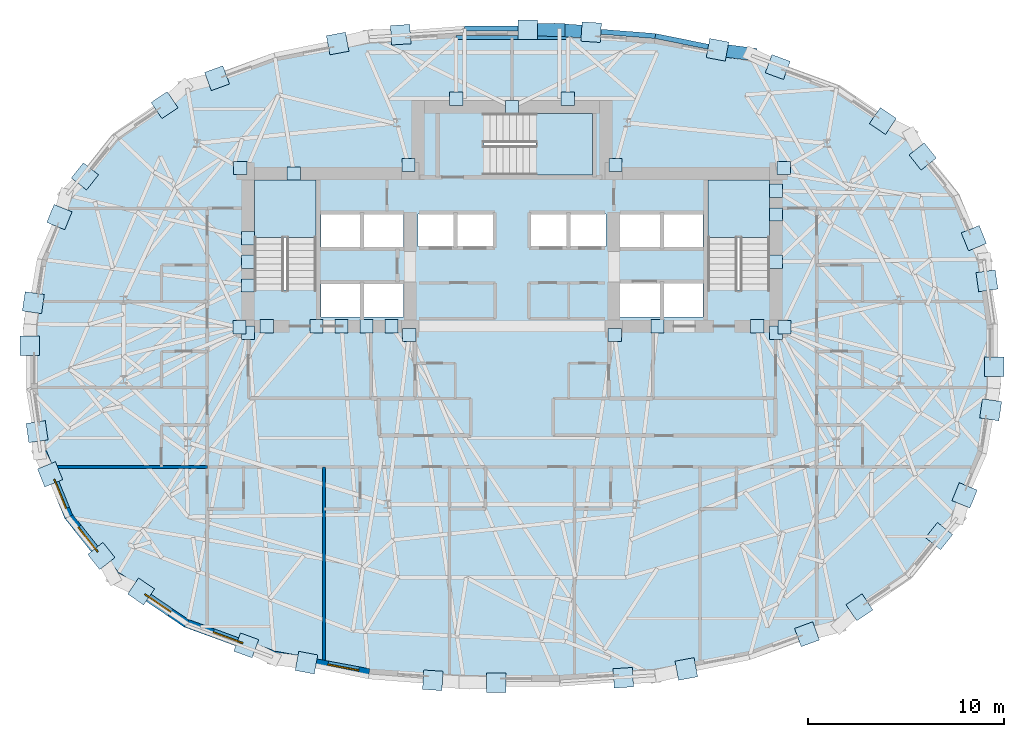
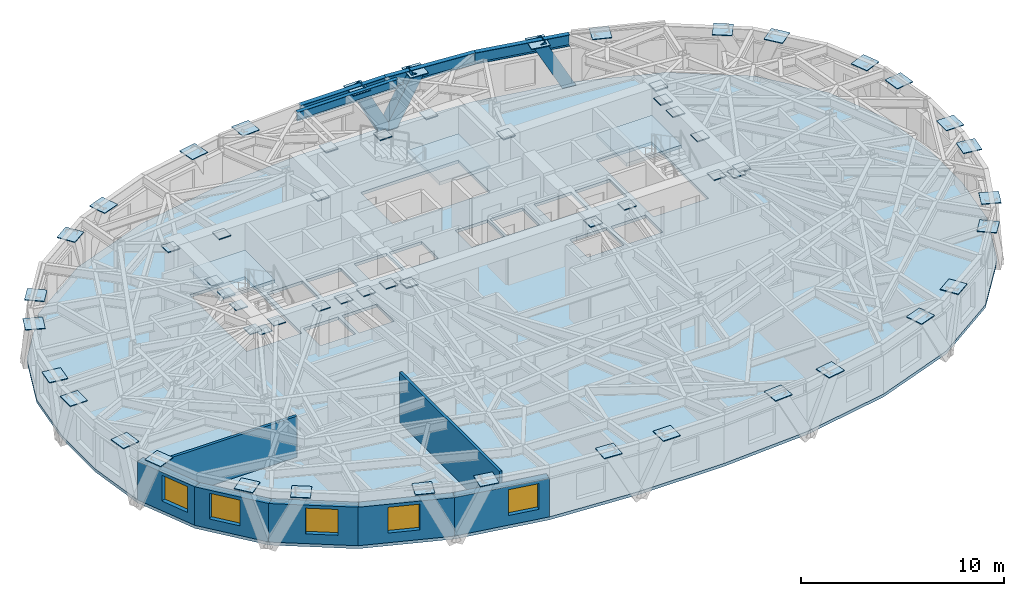
# One storey, part 5 of 15: 59 plates, 7 walls, 5 windows, 4 beams, 4 slabs, 3 members, 5 openings, 3 elements without a shape of their own.
"""IFC4 building model written with IfcOpenShell, lengths in metres."""

from ifc_helpers import new_model, si_unit, direction, frame, frame_2d, origin, origin_2d, place, context, subcontext, project, spatial, polyline, rectangle, hollow_rectangle, i_section, outline, extrude, material, layer, layer_set, material_profile, profile_set, type_object, element, fill, aggregate, save


model = new_model("IFC4")

# Units and contexts
model_context = context("Model", 3, precision=1e-05, world=origin(), true_north=direction((0.0, 1.0)))
body_context = subcontext(model_context, "Body", "Model", "MODEL_VIEW")
ifc_project = project(units=[si_unit("LENGTHUNIT", "METRE"), si_unit("AREAUNIT", "SQUARE_METRE"), si_unit("VOLUMEUNIT", "CUBIC_METRE"), si_unit("PLANEANGLEUNIT", "RADIAN"), si_unit("MASSUNIT", "GRAM", prefix="KILO")], contexts=[model_context])

# Site, building, storey
site_placement = place(None, origin())
site = spatial("IfcSite", under=ifc_project, at=site_placement, CompositionType="ELEMENT")
building_placement = place(site_placement, origin())
building = spatial("IfcBuilding", under=site, at=building_placement, Name="Keldmark Tower", CompositionType="ELEMENT")
storey_placement = place(building_placement, frame((0.0, 0.0, 147.0)))
storey = spatial("IfcBuildingStorey", under=building, at=storey_placement, Name="L39", CompositionType="ELEMENT", Elevation=147.0)

# Members
ifc_material_1 = material(Name="Steel ASTM A572 Grade 50", Category="steel")
ifc_material_profile_1 = material_profile(ifc_material_1, hollow_rectangle(XDim=0.64990234375, YDim=0.64990234375, WallThickness=0.0400390625, at=origin_2d()), Name="BOX650X650X40")
ifc_profile_set_1 = profile_set([ifc_material_profile_1], Name="Steel ASTM A572 Grade 50")
member_type = type_object("IfcMemberType", Name="Diagrid Zone 3 Brace BOX650X650X40", PredefinedType="BRACE", material=ifc_profile_set_1)
member_1_placement = place(storey_placement, frame((12.17578125, 15.423583984375, -0.260009765625), z_axis=(-0.469993079777, 0.060552090475, 0.880590682043), x_axis=(-0.127780002502, -0.991802536275, 0.0)))
element("IfcMember", 1, at=member_1_placement, inside=storey, type_object=member_type, Name="L39 Perimeter Diagrid Brace 03B", PredefinedType="BRACE", context=body_context, shape_type="SweptSolid", body=[
    extrude(hollow_rectangle(XDim=0.64990234375, YDim=0.64990234375, WallThickness=0.0400390625, at=origin_2d()), origin(), (0.0, 0.0, 1.0), 3.58837890625),
])
member_2_placement = place(storey_placement, frame((2.410888671875, 16.65380859375, -0.260009765625), z_axis=(0.45823774082, -0.031569471436, 0.888268845205), x_axis=(0.068730302133, 0.997635276827, 0.0)))
element("IfcMember", 2, at=member_2_placement, inside=storey, type_object=member_type, Name="L39 Perimeter Diagrid Brace 04A", PredefinedType="BRACE", context=body_context, shape_type="SweptSolid", body=[
    extrude(hollow_rectangle(XDim=0.64990234375, YDim=0.64990234375, WallThickness=0.0400390625, at=origin_2d()), origin(), (0.0, 0.0, 1.0), 3.557373046875),
])
member_3_placement = place(storey_placement, frame((2.42236328125, 16.6513671875, -0.260009765625), z_axis=(-0.45579851105, 0.004332423989, 0.890072439427), x_axis=(-0.009504700399, -0.999954829315, 0.0)))
element("IfcMember", 3, at=member_3_placement, inside=storey, type_object=member_type, Name="L39 Perimeter Diagrid Brace 04B", PredefinedType="BRACE", context=body_context, shape_type="SweptSolid", body=[
    extrude(hollow_rectangle(XDim=0.64990234375, YDim=0.64990234375, WallThickness=0.0400390625, at=origin_2d()), origin(), (0.0, 0.0, 1.0), 3.55029296875),
])

# Beams
ifc_material_2 = material(Name="Steel ASTM A992 Grade 50", Category="steel")
ifc_material_profile_2 = material_profile(ifc_material_2, i_section(OverallWidth=0.2099609375, OverallDepth=0.537109375, WebThickness=0.010986328125, FlangeThickness=0.017333984375, at=origin_2d()), Name="W21X68")
ifc_profile_set_2 = profile_set([ifc_material_profile_2], Name="Steel ASTM A992 Grade 50")
beam_type_1 = type_object("IfcBeamType", Name="Radial Tie Girder W21X68", PredefinedType="BEAM", material=ifc_profile_set_2)
beam_1_placement = place(storey_placement, frame((-2.85009765625, 16.276611328125, 2.75146484375), z_axis=(1.0, 0.0, 0.0), x_axis=(0.0, 1.0, 0.0)))
element("IfcBeam", 4, at=beam_1_placement, inside=storey, type_object=beam_type_1, Name="L39 North Apex Header Girder FG-TCN-H2", PredefinedType="BEAM", context=body_context, shape_type="SweptSolid", body=[
    extrude(i_section(OverallWidth=0.2099609375, OverallDepth=0.537109375, WebThickness=0.010986328125, FlangeThickness=0.017333984375, at=origin_2d()), origin(), (0.0, 0.0, 1.0), 5.7001953125),
])
ifc_material_3 = material(Name="Steel ASTM A992 Grade 50", Category="steel")
ifc_material_profile_3 = material_profile(ifc_material_3, i_section(OverallWidth=0.256103515625, OverallDepth=0.693115234375, WebThickness=0.014404296875, FlangeThickness=0.023681640625, at=origin_2d()), Name="W27X114")
ifc_profile_set_3 = profile_set([ifc_material_profile_3], Name="Steel ASTM A992 Grade 50")
beam_type_2 = type_object("IfcBeamType", Name="Spandrel Ring Beam W27X114", PredefinedType="SPANDREL", material=ifc_profile_set_3)
beam_2_placement = place(storey_placement, frame((12.119140625, 15.368896484375, 2.673583984375), z_axis=(-0.980023275358, 0.198882829215, 0.0), x_axis=(-0.198882829215, -0.980023275358, 0.0)))
element("IfcBeam", 5, at=beam_2_placement, inside=storey, type_object=beam_type_2, Name="L39 Perimeter Spandrel Ring Beam SRB-06", PredefinedType="SPANDREL", context=body_context, shape_type="SweptSolid", body=[
    extrude(i_section(OverallWidth=0.256103515625, OverallDepth=0.693115234375, WebThickness=0.014404296875, FlangeThickness=0.023681640625, at=origin_2d()), origin(), (0.0, 0.0, 1.0), 4.90283203125),
])
beam_3_placement = place(storey_placement, frame((7.314208984375, 16.343994140625, 2.673583984375), z_axis=(-0.996945914476, 0.07809509338, 0.0), x_axis=(-0.07809509338, -0.996945914476, 0.0)))
element("IfcBeam", 6, at=beam_3_placement, inside=storey, type_object=beam_type_2, Name="L39 Perimeter Spandrel Ring Beam SRB-07", PredefinedType="SPANDREL", context=body_context, shape_type="SweptSolid", body=[
    extrude(i_section(OverallWidth=0.256103515625, OverallDepth=0.693115234375, WebThickness=0.014404296875, FlangeThickness=0.023681640625, at=origin_2d()), origin(), (0.0, 0.0, 1.0), 4.898681640625),
])
beam_4_placement = place(storey_placement, frame((2.430419921875, 16.7265625, 2.673583984375), z_axis=(-1.0, 0.0, 0.0), x_axis=(0.0, -1.0, 0.0)))
element("IfcBeam", 7, at=beam_4_placement, inside=storey, type_object=beam_type_2, Name="L39 Perimeter Spandrel Ring Beam SRB-08", PredefinedType="SPANDREL", context=body_context, shape_type="SweptSolid", body=[
    extrude(i_section(OverallWidth=0.256103515625, OverallDepth=0.693115234375, WebThickness=0.014404296875, FlangeThickness=0.023681640625, at=origin_2d()), origin(), (0.0, 0.0, 1.0), 4.86083984375),
])

# Plates
ifc_material_4 = material(Name="Steel ASTM A572 Grade 50", Category="steel")
ifc_layer_1 = layer(ifc_material_4, 0.06005859375)
ifc_layer_set_1 = layer_set([ifc_layer_1], Name="Steel ASTM A572 Grade 50")
plate_type_1 = type_object("IfcPlateType", Name="Belt Truss Kink Node Assembly KN01 60 mm", PredefinedType="USERDEFINED", material=ifc_layer_set_1)
for number, where, z_axis, x_axis, name in (
    (8, (13.91162109375, 1.473388671875, 2.72412109375), (0.0, 0.0, 1.0), (1.0, 0.0, 0.0), "L39 Core Wall Cast-In Embed Plate 1148"),
    (9, (13.878173828125, 9.608154296875, 2.72412109375), (0.0, 0.0, 1.0), (1.0, 0.0, 0.0), "L39 Core Wall Cast-In Embed Plate 1149"),
    (10, (5.28515625, 9.758544921875, 2.72412109375), (0.0, 0.0, 1.0), (1.0, 0.0, 0.0), "L39 Core Wall Cast-In Embed Plate 1150"),
    (11, (-5.28515625, 9.758544921875, 2.72412109375), (0.0, 0.0, 1.0), (1.0, 0.0, 0.0), "L39 Core Wall Cast-In Embed Plate 1151"),
    (12, (-13.878173828125, 9.608154296875, 2.72412109375), (0.0, 0.0, 1.0), (1.0, 0.0, 0.0), "L39 Core Wall Cast-In Embed Plate 1152"),
    (13, (-13.91162109375, 1.473388671875, 2.72412109375), (0.0, 0.0, 1.0), (1.0, 0.0, 0.0), "L39 Core Wall Cast-In Embed Plate 1153"),
    (14, (-5.24072265625, 1.08251953125, 2.72412109375), (0.0, 0.0, 1.0), (1.0, 0.0, 0.0), "L39 Core Wall Cast-In Embed Plate 1154"),
    (15, (5.24072265625, 1.08251953125, 2.72412109375), (0.0, 0.0, 1.0), (1.0, 0.0, 0.0), "L39 Core Wall Cast-In Embed Plate 1155"),
    (16, (-7.425048828125, 1.52490234375, 2.72412109375), (0.0, 0.0, 1.0), (1.0, 0.0, 0.0), "L39 Core Wall Cast-In Embed Plate 1156"),
    (17, (7.425048828125, 1.52490234375, 2.72412109375), (0.0, 0.0, 1.0), (1.0, 0.0, 0.0), "L39 Core Wall Cast-In Embed Plate 1157"),
    (18, (-9.97509765625, 1.52490234375, 2.72412109375), (0.0, 0.0, 1.0), (1.0, 0.0, 0.0), "L39 Core Wall Cast-In Embed Plate 1158"),
    (19, (12.52490234375, 1.52490234375, 2.72412109375), (0.0, 0.0, 1.0), (1.0, 0.0, 0.0), "L39 Core Wall Cast-In Embed Plate 1159"),
    (20, (13.47509765625, 8.44287109375, 2.72412109375), (0.0, 0.0, 1.0), (1.0, 0.0, 0.0), "L39 Core Wall Cast-In Embed Plate 1160"),
    (21, (13.47509765625, 4.8212890625, 2.72412109375), (0.0, 0.0, 1.0), (1.0, 0.0, 0.0), "L39 Core Wall Cast-In Embed Plate 1161"),
    (22, (-13.47509765625, 4.8212890625, 2.72412109375), (0.0, 0.0, 1.0), (1.0, 0.0, 0.0), "L39 Core Wall Cast-In Embed Plate 1162"),
    (23, (-13.47509765625, 6.028564453125, 2.72412109375), (0.0, 0.0, 1.0), (1.0, 0.0, 0.0), "L39 Core Wall Cast-In Embed Plate 1163"),
    (24, (-13.47509765625, 3.6142578125, 2.72412109375), (0.0, 0.0, 1.0), (1.0, 0.0, 0.0), "L39 Core Wall Cast-In Embed Plate 1164"),
    (25, (-12.52490234375, 1.52490234375, 2.72412109375), (0.0, 0.0, 1.0), (1.0, 0.0, 0.0), "L39 Core Wall Cast-In Embed Plate 1165"),
    (26, (-13.47509765625, 1.199951171875, 2.72412109375), (0.0, 0.0, 1.0), (1.0, 0.0, 0.0), "L39 Core Wall Cast-In Embed Plate 1166"),
    (27, (-8.699951171875, 1.52490234375, 2.72412109375), (0.0, 0.0, 1.0), (1.0, 0.0, 0.0), "L39 Core Wall Cast-In Embed Plate 1167"),
    (28, (-6.14990234375, 1.52490234375, 2.72412109375), (0.0, 0.0, 1.0), (1.0, 0.0, 0.0), "L39 Core Wall Cast-In Embed Plate 1168"),
    (29, (13.47509765625, 1.199951171875, 2.72412109375), (0.0, 0.0, 1.0), (1.0, 0.0, 0.0), "L39 Core Wall Cast-In Embed Plate 1169"),
    (30, (13.47509765625, 7.235595703125, 2.72412109375), (0.0, 0.0, 1.0), (1.0, 0.0, 0.0), "L39 Core Wall Cast-In Embed Plate 1170"),
    (31, (-2.85009765625, 13.14990234375, 2.72412109375), (0.0, 0.0, 1.0), (1.0, 0.0, 0.0), "L39 Core Wall Cast-In Embed Plate 1171"),
    (32, (2.85009765625, 13.14990234375, 2.72412109375), (0.0, 0.0, 1.0), (1.0, 0.0, 0.0), "L39 Core Wall Cast-In Embed Plate 1172"),
    (33, (0.0, 12.72509765625, 2.72412109375), (0.0, 0.0, 1.0), (1.0, 0.0, 0.0), "L39 Core Wall Cast-In Embed Plate 1173"),
    (34, (-11.1357421875, 9.324951171875, 2.72412109375), (0.0, 0.0, 1.0), (1.0, 0.0, 0.0), "L39 Core Wall Cast-In Embed Plate 1174"),
):
    element("IfcPlate", number, at=place(storey_placement, frame(where, z_axis=z_axis, x_axis=x_axis)), inside=storey, type_object=plate_type_1, Name=name, ObjectType="CAP PLATE", PredefinedType="USERDEFINED", context=body_context, shape_type="SweptSolid", body=[
        extrude(rectangle(XDim=0.679931640625, YDim=0.679931640625, at=origin_2d()), origin(), (0.0, 0.0, 1.0), 0.054931640625),
    ])
ifc_material_5 = material(Name="Steel ASTM A572 Grade 50", Category="steel")
ifc_layer_2 = layer(ifc_material_5, 0.044921875)
ifc_layer_set_2 = layer_set([ifc_layer_2], Name="Steel ASTM A572 Grade 50")
plate_type_2 = type_object("IfcPlateType", Name="Diagrid Node Assembly DN04 45 mm", PredefinedType="USERDEFINED", material=ifc_layer_set_2)
for number, where, z_axis, x_axis, name in (
    (35, (24.240234375, 3.848388671875, 2.87744140625), (0.0, 0.0, 1.0), (-0.142283427941, 0.989825957496, 0.0), "L39 Diagrid Node Assembly 01"),
    (36, (23.574951171875, 6.026123046875, 2.87744140625), (0.0, 0.0, 1.0), (-0.376871010412, 0.926265751019, 0.0), "L39 Diagrid Node Assembly 02"),
    (37, (20.96044921875, 10.195068359375, 2.87744140625), (0.0, 0.0, 1.0), (-0.622104778651, 0.782933997461, 0.0), "L39 Diagrid Node Assembly 03"),
    (38, (18.9306640625, 12.00732421875, 2.87744140625), (0.0, 0.0, 1.0), (-0.827766671236, 0.56107248907, 0.0), "L39 Diagrid Node Assembly 04"),
    (39, (13.562744140625, 14.759765625, 2.87744140625), (0.0, 0.0, 1.0), (-0.939333942951, 0.343003999424, 0.0), "L39 Diagrid Node Assembly 05"),
    (40, (10.4892578125, 15.640869140625, 2.87744140625), (0.0, 0.0, 1.0), (-0.982967439746, 0.18377979323, 0.0), "L39 Diagrid Node Assembly 06"),
    (41, (4.041015625, 16.54150390625, 2.87744140625), (0.0, 0.0, 1.0), (-0.997824541457, 0.065925597951, 0.0), "L39 Diagrid Node Assembly 07"),
    (42, (0.80419921875, 16.666748046875, 2.87744140625), (0.0, 0.0, 1.0), (-1.0, 0.0, 0.0), "L39 Diagrid Node Assembly 08"),
    (43, (-5.680419921875, 16.41162109375, 2.87744140625), (0.0, 0.0, 1.0), (-0.997824541457, -0.065925597951, 0.0), "L39 Diagrid Node Assembly 09"),
    (44, (-8.8984375, 15.96142578125, 2.87744140625), (0.0, 0.0, 1.0), (-0.982967439746, -0.18377979323, 0.0), "L39 Diagrid Node Assembly 10"),
    (45, (-15.05419921875, 14.190673828125, 2.87744140625), (0.0, 0.0, 1.0), (-0.939333942951, -0.343003999424, 0.0), "L39 Diagrid Node Assembly 11"),
    (46, (-17.732421875, 12.81689453125, 2.87744140625), (0.0, 0.0, 1.0), (-0.827766671236, -0.56107248907, 0.0), "L39 Diagrid Node Assembly 12"),
    (47, (-21.796875, 9.180908203125, 2.87744140625), (0.0, 0.0, 1.0), (-0.622104778651, -0.782933997461, 0.0), "L39 Diagrid Node Assembly 13"),
    (48, (-23.099853515625, 7.100830078125, 2.87744140625), (0.0, 0.0, 1.0), (-0.376871010412, -0.926265751019, 0.0), "L39 Diagrid Node Assembly 14"),
    (49, (-24.430908203125, 2.7333984375, 2.87744140625), (0.0, 0.0, 1.0), (-0.142283427941, -0.989825957496, 0.0), "L39 Diagrid Node Assembly 15"),
    (50, (-24.61669921875, 0.543212890625, 2.87744140625), (0.0, 0.0, 1.0), (0.0, -1.0, 0.0), "L39 Diagrid Node Assembly 16"),
    (51, (-24.240234375, -3.848388671875, 2.87744140625), (0.0, 0.0, 1.0), (0.142283427941, -0.989825957496, 0.0), "L39 Diagrid Node Assembly 17"),
    (52, (-23.574951171875, -6.026123046875, 2.87744140625), (0.0, 0.0, 1.0), (0.376871010412, -0.926265751019, 0.0), "L39 Diagrid Node Assembly 18"),
    (53, (-20.96044921875, -10.195068359375, 2.87744140625), (0.0, 0.0, 1.0), (0.622104778651, -0.782933997461, 0.0), "L39 Diagrid Node Assembly 19"),
    (54, (-18.9306640625, -12.00732421875, 2.87744140625), (0.0, 0.0, 1.0), (0.827766671236, -0.56107248907, 0.0), "L39 Diagrid Node Assembly 20"),
    (55, (-13.562744140625, -14.759765625, 2.87744140625), (0.0, 0.0, 1.0), (0.939333942951, -0.343003999424, 0.0), "L39 Diagrid Node Assembly 21"),
    (56, (-10.4892578125, -15.640869140625, 2.87744140625), (0.0, 0.0, 1.0), (0.982967439746, -0.18377979323, 0.0), "L39 Diagrid Node Assembly 22"),
    (57, (-4.041015625, -16.54150390625, 2.87744140625), (0.0, 0.0, 1.0), (0.997824541457, -0.065925597951, 0.0), "L39 Diagrid Node Assembly 23"),
    (58, (-0.80419921875, -16.666748046875, 2.87744140625), (0.0, 0.0, 1.0), (1.0, 0.0, 0.0), "L39 Diagrid Node Assembly 24"),
    (59, (5.680419921875, -16.41162109375, 2.87744140625), (0.0, 0.0, 1.0), (0.997824541457, 0.065925597951, 0.0), "L39 Diagrid Node Assembly 25"),
    (60, (8.8984375, -15.96142578125, 2.87744140625), (0.0, 0.0, 1.0), (0.982967439746, 0.18377979323, 0.0), "L39 Diagrid Node Assembly 26"),
    (61, (15.05419921875, -14.190673828125, 2.87744140625), (0.0, 0.0, 1.0), (0.939333942951, 0.343003999424, 0.0), "L39 Diagrid Node Assembly 27"),
    (62, (17.732421875, -12.81689453125, 2.87744140625), (0.0, 0.0, 1.0), (0.827766671236, 0.56107248907, 0.0), "L39 Diagrid Node Assembly 28"),
    (63, (21.796875, -9.180908203125, 2.87744140625), (0.0, 0.0, 1.0), (0.622104778651, 0.782933997461, 0.0), "L39 Diagrid Node Assembly 29"),
    (64, (23.099853515625, -7.100830078125, 2.87744140625), (0.0, 0.0, 1.0), (0.376871010412, 0.926265751019, 0.0), "L39 Diagrid Node Assembly 30"),
    (65, (24.430908203125, -2.7333984375, 2.87744140625), (0.0, 0.0, 1.0), (0.142283427941, 0.989825957496, 0.0), "L39 Diagrid Node Assembly 31"),
    (66, (24.61669921875, -0.543212890625, 2.87744140625), (0.0, 0.0, 1.0), (0.0, 1.0, 0.0), "L39 Diagrid Node Assembly 32"),
):
    element("IfcPlate", number, at=place(storey_placement, frame(where, z_axis=z_axis, x_axis=x_axis)), inside=storey, type_object=plate_type_2, Name=name, ObjectType="GUSSET", PredefinedType="USERDEFINED", context=body_context, shape_type="SweptSolid", body=[
        extrude(rectangle(XDim=0.989990234375, YDim=0.989990234375, at=origin_2d()), origin(), (0.0, 0.0, 1.0), 0.044921875),
    ])

# Slab
ifc_material_6 = material(Name="Concrete C35/45", Category="concrete")
ifc_layer_3 = layer(ifc_material_6, 0.179931640625)
ifc_layer_set_3 = layer_set([ifc_layer_3], Name="Concrete C35/45")
slab_type_1 = type_object("IfcSlabType", Name="Hotel and Residential Slab 180 mm", PredefinedType="FLOOR", material=ifc_layer_set_3)
slab_1_placement = place(storey_placement, frame((0.0, 0.0, -0.179931640625)))
element("IfcSlab", 67, at=slab_1_placement, inside=storey, type_object=slab_type_1, Name="L39 Composite Structural Floor Slab", PredefinedType="FLOOR", context=body_context, shape_type="SweptSolid", body=[
    extrude(outline(polyline([(24.65380859375, 1.64599609375), (24.17578125, 4.970947265625), (22.83251953125, 8.2724609375), (20.391845703125, 11.343505859375), (16.735107421875, 13.822265625), (12.2041015625, 15.4765625), (7.33349609375, 16.386962890625), (2.42822265625, 16.711181640625), (-2.42822265625, 16.711181640625), (-7.33349609375, 16.386962890625), (-12.2041015625, 15.4765625), (-16.735107421875, 13.822265625), (-20.391845703125, 11.343505859375), (-22.83251953125, 8.2724609375), (-24.17578125, 4.970947265625), (-24.65380859375, 1.64599609375), (-24.65380859375, -1.64599609375), (-24.17578125, -4.970947265625), (-22.83251953125, -8.2724609375), (-20.391845703125, -11.343505859375), (-16.735107421875, -13.822265625), (-12.2041015625, -15.4765625), (-7.33349609375, -16.386962890625), (-2.42822265625, -16.711181640625), (2.42822265625, -16.711181640625), (7.33349609375, -16.386962890625), (12.2041015625, -15.4765625), (16.735107421875, -13.822265625), (20.391845703125, -11.343505859375), (22.83251953125, -8.2724609375), (24.17578125, -4.970947265625), (24.65380859375, -1.64599609375), (24.65380859375, 1.64599609375)]), holes=[polyline([(-10.0, 3.385009765625), (-10.0, 9.0), (-13.14990234375, 9.0), (-13.14990234375, 3.385009765625), (-10.0, 3.385009765625)]), polyline([(13.14990234375, 3.385009765625), (13.14990234375, 9.0), (10.0, 9.0), (10.0, 3.385009765625), (13.14990234375, 3.385009765625)]), polyline([(-1.43994140625, 9.25), (4.10498046875, 9.25), (4.10498046875, 12.39990234375), (-1.43994140625, 12.39990234375), (-1.43994140625, 9.25)]), polyline([(-9.75, 2.0), (-7.75, 2.0), (-7.75, 3.699951171875), (-9.75, 3.699951171875), (-9.75, 2.0)]), polyline([(7.75, 2.0), (9.75, 2.0), (9.75, 3.699951171875), (7.75, 3.699951171875), (7.75, 2.0)]), polyline([(5.449951171875, 2.0), (7.550048828125, 2.0), (7.550048828125, 3.75), (5.449951171875, 3.75), (5.449951171875, 2.0)]), polyline([(-4.800048828125, 5.60009765625), (-2.949951171875, 5.60009765625), (-2.949951171875, 7.25), (-4.800048828125, 7.25), (-4.800048828125, 5.60009765625)]), polyline([(-2.800048828125, 5.60009765625), (-0.949951171875, 5.60009765625), (-0.949951171875, 7.25), (-2.800048828125, 7.25), (-2.800048828125, 5.60009765625)]), polyline([(0.949951171875, 5.60009765625), (2.800048828125, 5.60009765625), (2.800048828125, 7.25), (0.949951171875, 7.25), (0.949951171875, 5.60009765625)]), polyline([(2.949951171875, 5.60009765625), (4.800048828125, 5.60009765625), (4.800048828125, 7.25), (2.949951171875, 7.25), (2.949951171875, 5.60009765625)]), polyline([(-9.75, 5.550048828125), (-7.75, 5.550048828125), (-7.75, 7.25), (-9.75, 7.25), (-9.75, 5.550048828125)]), polyline([(-7.550048828125, 5.550048828125), (-5.550048828125, 5.550048828125), (-5.550048828125, 7.25), (-7.550048828125, 7.25), (-7.550048828125, 5.550048828125)]), polyline([(-7.550048828125, 2.0), (-5.550048828125, 2.0), (-5.550048828125, 3.699951171875), (-7.550048828125, 3.699951171875), (-7.550048828125, 2.0)]), polyline([(5.449951171875, 5.550048828125), (7.550048828125, 5.550048828125), (7.550048828125, 7.25), (5.449951171875, 7.25), (5.449951171875, 5.550048828125)]), polyline([(7.75, 5.550048828125), (9.75, 5.550048828125), (9.75, 7.25), (7.75, 7.25), (7.75, 5.550048828125)])]), origin(), (0.0, 0.0, 1.0), 0.179931640625),
])

# Stair, slab
ifc_material_7 = material(Name="Concrete C40/50", Category="concrete")
stair_type = type_object("IfcStairType", Name="Precast Concrete Core Exit Stair", PredefinedType="HALF_TURN_STAIR", material=ifc_material_7)
stair_1_placement = place(storey_placement, origin())
stair_1 = element("IfcStair", 68, at=stair_1_placement, inside=storey, type_object=stair_type, Name="L39 Exit Stair ST1", PredefinedType="HALF_TURN_STAIR")
ifc_material_8 = material(Name="Concrete C40/50", Category="concrete")
ifc_layer_4 = layer(ifc_material_8, 0.199951171875)
ifc_layer_set_4 = layer_set([ifc_layer_4], Name="Concrete C40/50")
slab_type_2 = type_object("IfcSlabType", Name="Reinforced Concrete Stair Landing 200 mm", PredefinedType="LANDING", material=ifc_layer_set_4)
slab_2_placement = place(storey_placement, frame((0.0, 0.0, 1.39990234375)))
slab_2 = element("IfcSlab", 69, at=slab_2_placement, type_object=slab_type_2, Name="ST1 landing 1", PredefinedType="LANDING", context=body_context, shape_type="SweptSolid", body=[
    extrude(outline(polyline([(-10.0, 6.050048828125), (-10.0, 9.0), (-13.14990234375, 9.0), (-13.14990234375, 6.050048828125), (-10.0, 6.050048828125)])), origin(), (0.0, 0.0, 1.0), 0.2001953125),
])
aggregate(stair_1, [slab_2])

stair_2_placement = place(storey_placement, origin())
stair_2 = element("IfcStair", 70, at=stair_2_placement, inside=storey, type_object=stair_type, Name="L39 Exit Stair ST2", PredefinedType="HALF_TURN_STAIR")
slab_3_placement = place(storey_placement, frame((0.0, 0.0, 1.39990234375)))
slab_3 = element("IfcSlab", 71, at=slab_3_placement, type_object=slab_type_2, Name="ST2 landing 1", PredefinedType="LANDING", context=body_context, shape_type="SweptSolid", body=[
    extrude(outline(polyline([(13.14990234375, 6.050048828125), (13.14990234375, 9.0), (10.0, 9.0), (10.0, 6.050048828125), (13.14990234375, 6.050048828125)])), origin(), (0.0, 0.0, 1.0), 0.2001953125),
])
aggregate(stair_2, [slab_3])

stair_3_placement = place(storey_placement, origin())
stair_3 = element("IfcStair", 72, at=stair_3_placement, inside=storey, type_object=stair_type, Name="L39 Exit Stair ST3", PredefinedType="HALF_TURN_STAIR")
slab_4_placement = place(storey_placement, frame((0.0, 0.0, 1.39990234375)))
slab_4 = element("IfcSlab", 73, at=slab_4_placement, type_object=slab_type_2, Name="ST3 landing 1", PredefinedType="LANDING", context=body_context, shape_type="SweptSolid", body=[
    extrude(outline(polyline([(1.22509765625, 9.25), (4.10498046875, 9.25), (4.10498046875, 12.39990234375), (1.22509765625, 12.39990234375), (1.22509765625, 9.25)])), origin(), (0.0, 0.0, 1.0), 0.2001953125),
])
aggregate(stair_3, [slab_4])

# Wall, opening, window
ifc_material_9 = material(Name="Ironspot Manganese Brick and Kasota Buff Limestone Spandrel Assembly", Category="masonry")
ifc_layer_5 = layer(ifc_material_9, 0.43994140625)
ifc_layer_set_5 = layer_set([ifc_layer_5], Name="Ironspot Manganese Brick and Kasota Buff Limestone Spandrel Assembly")
wall_type_1 = type_object("IfcWallType", Name="Tower Brick Pier and Spandrel Wall 440 mm", PredefinedType="STANDARD", material=ifc_layer_set_5)
wall_1_placement = place(storey_placement, frame((-22.628662109375, -8.189453125, 0.0), z_axis=(0.0, 0.0, 1.0), x_axis=(-0.376863872061, 0.926268655378, 0.0)))
wall_1 = element("IfcWall", 74, at=wall_1_placement, inside=storey, type_object=wall_type_1, Name="L39 Exterior Brick and Spandrel Wall 18", PredefinedType="STANDARD", context=body_context, shape_type="SweptSolid", body=[
    extrude(rectangle(XDim=3.564208984375, YDim=0.43994140625, at=frame_2d((1.7822265625, 0.0))), origin(), (0.0, 0.0, 1.0), 2.31494140625),
])
opening_1_placement = place(wall_1_placement, frame((0.4443359375, 0.0, 0.580078125)))
opening_1 = element("IfcOpeningElement", 75, at=opening_1_placement, cuts=wall_1, Name="Opening W-04", PredefinedType="OPENING", context=body_context, shape_type="SweptSolid", body=[
    extrude(rectangle(XDim=1.60009765625, YDim=1.550048828125, at=frame_2d((0.800048828125, 0.77490234375))), frame((0.0, 0.22998046875, 0.0), z_axis=(0.0, -1.0, 0.0), x_axis=(1.0, 0.0, 0.0)), (0.0, 0.0, 1.0), 0.4599609375),
])
ifc_material_10 = material(Name="Thermally Broken Anodized Aluminum and Triple Low-E Argon Glazing", Category="aluminium")
window_type = type_object("IfcWindowType", Name="Hotel Deep-Set Operable Window 1600x1550", PartitioningType="DOUBLE_PANEL_HORIZONTAL", PredefinedType="WINDOW", material=ifc_material_10)
window_1_placement = place(opening_1_placement, origin())
window_1 = element("IfcWindow", 76, at=window_1_placement, inside=storey, type_object=window_type, Name="L39 Deep-Set Window 18", OverallHeight=1.550048828125, OverallWidth=1.60009765625, PartitioningType="SINGLE_PANEL", PredefinedType="WINDOW", context=body_context, shape_type="SweptSolid", body=[
    extrude(rectangle(XDim=1.60009765625, YDim=1.550048828125, at=frame_2d((0.800048828125, 0.77490234375))), frame((0.0, -0.010009765625, 0.0), z_axis=(0.0, -1.0, 0.0), x_axis=(1.0, 0.0, 0.0)), (0.0, 0.0, 1.0), 0.06005859375),
])
fill(opening_1, window_1)

wall_2_placement = place(storey_placement, frame((-20.2197265625, -11.206787109375, 0.0), z_axis=(0.0, 0.0, 1.0), x_axis=(-0.622149266174, 0.782898646441, 0.0)))
wall_2 = element("IfcWall", 77, at=wall_2_placement, inside=storey, type_object=wall_type_1, Name="L39 Exterior Brick and Spandrel Wall 19", PredefinedType="STANDARD", context=body_context, shape_type="SweptSolid", body=[
    extrude(rectangle(XDim=3.9228515625, YDim=0.43994140625, at=frame_2d((1.96142578125, 0.0))), origin(), (0.0, 0.0, 1.0), 2.31494140625),
])
opening_2_placement = place(wall_2_placement, frame((1.53125, 0.0, 0.580078125)))
opening_2 = element("IfcOpeningElement", 78, at=opening_2_placement, cuts=wall_2, Name="Opening W-04", PredefinedType="OPENING", context=body_context, shape_type="SweptSolid", body=[
    extrude(rectangle(XDim=1.60009765625, YDim=1.550048828125, at=frame_2d((0.800048828125, 0.77490234375))), frame((0.0, 0.22998046875, 0.0), z_axis=(0.0, -1.0, 0.0), x_axis=(1.0, 0.0, 0.0)), (0.0, 0.0, 1.0), 0.4599609375),
])
window_2_placement = place(opening_2_placement, origin())
window_2 = element("IfcWindow", 79, at=window_2_placement, inside=storey, type_object=window_type, Name="L39 Deep-Set Window 19", OverallHeight=1.550048828125, OverallWidth=1.60009765625, PartitioningType="SINGLE_PANEL", PredefinedType="WINDOW", context=body_context, shape_type="SweptSolid", body=[
    extrude(rectangle(XDim=1.60009765625, YDim=1.550048828125, at=frame_2d((0.800048828125, 0.77490234375))), frame((0.0, -0.010009765625, 0.0), z_axis=(0.0, -1.0, 0.0), x_axis=(1.0, 0.0, 0.0)), (0.0, 0.0, 1.0), 0.06005859375),
])
fill(opening_2, window_2)

wall_3_placement = place(storey_placement, frame((-16.61181640625, -13.64013671875, 0.0), z_axis=(0.0, 0.0, 1.0), x_axis=(-0.827774624611, 0.561060755044, 0.0)))
wall_3 = element("IfcWall", 80, at=wall_3_placement, inside=storey, type_object=wall_type_1, Name="L39 Exterior Brick and Spandrel Wall 20", PredefinedType="STANDARD", context=body_context, shape_type="SweptSolid", body=[
    extrude(rectangle(XDim=4.41748046875, YDim=0.43994140625, at=frame_2d((2.208740234375, 0.0))), origin(), (0.0, 0.0, 1.0), 2.31494140625),
])
opening_3_placement = place(wall_3_placement, frame((0.989501953125, 0.0, 0.580078125)))
opening_3 = element("IfcOpeningElement", 81, at=opening_3_placement, cuts=wall_3, Name="Opening W-04", PredefinedType="OPENING", context=body_context, shape_type="SweptSolid", body=[
    extrude(rectangle(XDim=1.60009765625, YDim=1.550048828125, at=frame_2d((0.800048828125, 0.77490234375))), frame((0.0, 0.22998046875, 0.0), z_axis=(0.0, -1.0, 0.0), x_axis=(1.0, 0.0, 0.0)), (0.0, 0.0, 1.0), 0.4599609375),
])
window_3_placement = place(opening_3_placement, origin())
window_3 = element("IfcWindow", 82, at=window_3_placement, inside=storey, type_object=window_type, Name="L39 Deep-Set Window 20", OverallHeight=1.550048828125, OverallWidth=1.60009765625, PartitioningType="SINGLE_PANEL", PredefinedType="WINDOW", context=body_context, shape_type="SweptSolid", body=[
    extrude(rectangle(XDim=1.60009765625, YDim=1.550048828125, at=frame_2d((0.800048828125, 0.77490234375))), frame((0.0, -0.010009765625, 0.0), z_axis=(0.0, -1.0, 0.0), x_axis=(1.0, 0.0, 0.0)), (0.0, 0.0, 1.0), 0.06005859375),
])
fill(opening_3, window_3)

wall_4_placement = place(storey_placement, frame((-12.128662109375, -15.269775390625, 0.0), z_axis=(0.0, 0.0, 1.0), x_axis=(-0.939349296455, 0.342961950147, 0.0)))
wall_4 = element("IfcWall", 83, at=wall_4_placement, inside=storey, type_object=wall_type_1, Name="L39 Exterior Brick and Spandrel Wall 21", PredefinedType="STANDARD", context=body_context, shape_type="SweptSolid", body=[
    extrude(rectangle(XDim=4.823486328125, YDim=0.43994140625, at=frame_2d((2.41162109375, 0.0))), origin(), (0.0, 0.0, 1.0), 2.31494140625),
])
opening_4_placement = place(wall_4_placement, frame((1.735595703125, 0.0, 0.580078125)))
opening_4 = element("IfcOpeningElement", 84, at=opening_4_placement, cuts=wall_4, Name="Opening W-04", PredefinedType="OPENING", context=body_context, shape_type="SweptSolid", body=[
    extrude(rectangle(XDim=1.60009765625, YDim=1.550048828125, at=frame_2d((0.800048828125, 0.77490234375))), frame((0.0, 0.22998046875, 0.0), z_axis=(0.0, -1.0, 0.0), x_axis=(1.0, 0.0, 0.0)), (0.0, 0.0, 1.0), 0.4599609375),
])
window_4_placement = place(opening_4_placement, origin())
window_4 = element("IfcWindow", 85, at=window_4_placement, inside=storey, type_object=window_type, Name="L39 Deep-Set Window 21", OverallHeight=1.550048828125, OverallWidth=1.60009765625, PartitioningType="SINGLE_PANEL", PredefinedType="WINDOW", context=body_context, shape_type="SweptSolid", body=[
    extrude(rectangle(XDim=1.60009765625, YDim=1.550048828125, at=frame_2d((0.800048828125, 0.77490234375))), frame((0.0, -0.010009765625, 0.0), z_axis=(0.0, -1.0, 0.0), x_axis=(1.0, 0.0, 0.0)), (0.0, 0.0, 1.0), 0.06005859375),
])
fill(opening_4, window_4)

wall_5_placement = place(storey_placement, frame((-7.293212890625, -16.170654296875, 0.0), z_axis=(0.0, 0.0, 1.0), x_axis=(-0.98297578121, 0.183735172338, 0.0)))
wall_5 = element("IfcWall", 86, at=wall_5_placement, inside=storey, type_object=wall_type_1, Name="L39 Exterior Brick and Spandrel Wall 22", PredefinedType="STANDARD", context=body_context, shape_type="SweptSolid", body=[
    extrude(rectangle(XDim=4.955078125, YDim=0.43994140625, at=frame_2d((2.4775390625, 0.0))), origin(), (0.0, 0.0, 1.0), 2.31494140625),
])
opening_5_placement = place(wall_5_placement, frame((0.544677734375, 0.0, 0.580078125)))
opening_5 = element("IfcOpeningElement", 87, at=opening_5_placement, cuts=wall_5, Name="Opening W-04", PredefinedType="OPENING", context=body_context, shape_type="SweptSolid", body=[
    extrude(rectangle(XDim=1.60009765625, YDim=1.550048828125, at=frame_2d((0.800048828125, 0.77490234375))), frame((0.0, 0.22998046875, 0.0), z_axis=(0.0, -1.0, 0.0), x_axis=(1.0, 0.0, 0.0)), (0.0, 0.0, 1.0), 0.4599609375),
])
window_5_placement = place(opening_5_placement, origin())
window_5 = element("IfcWindow", 88, at=window_5_placement, inside=storey, type_object=window_type, Name="L39 Deep-Set Window 22", OverallHeight=1.550048828125, OverallWidth=1.60009765625, PartitioningType="SINGLE_PANEL", PredefinedType="WINDOW", context=body_context, shape_type="SweptSolid", body=[
    extrude(rectangle(XDim=1.60009765625, YDim=1.550048828125, at=frame_2d((0.800048828125, 0.77490234375))), frame((0.0, -0.010009765625, 0.0), z_axis=(0.0, -1.0, 0.0), x_axis=(1.0, 0.0, 0.0)), (0.0, 0.0, 1.0), 0.06005859375),
])
fill(opening_5, window_5)

# Walls
ifc_material_11 = material(Name="Moisture-Resistant Gypsum Plumbing Partition", Category="gypsum")
ifc_layer_6 = layer(ifc_material_11, 0.14990234375)
ifc_layer_set_6 = layer_set([ifc_layer_6], Name="Moisture-Resistant Gypsum Plumbing Partition")
wall_type_2 = type_object("IfcWallType", Name="Wet Wall 150 mm", PredefinedType="PLUMBINGWALL", material=ifc_layer_set_6)
wall_6_placement = place(storey_placement, frame((-23.415771484375, -5.64990234375, 0.0), z_axis=(0.0, 0.0, 1.0), x_axis=(1.0, 0.0, 0.0)))
element("IfcWall", 89, at=wall_6_placement, inside=storey, type_object=wall_type_2, Name="L39 Wet Wall 150 mm HW-CAP-S", PredefinedType="PLUMBINGWALL", context=body_context, shape_type="SweptSolid", body=[
    extrude(rectangle(XDim=7.86572265625, YDim=0.14990234375, at=frame_2d((3.932861328125, 0.0))), origin(), (0.0, 0.0, 1.0), 2.472900390625),
])
wall_7_placement = place(storey_placement, frame((-9.60009765625, -15.507568359375, 0.0), z_axis=(0.0, 0.0, 1.0), x_axis=(0.0, 1.0, 0.0)))
element("IfcWall", 90, at=wall_7_placement, inside=storey, type_object=wall_type_2, Name="L39 Wet Wall 150 mm HS-DIV-1", PredefinedType="PLUMBINGWALL", context=body_context, shape_type="SweptSolid", body=[
    extrude(rectangle(XDim=9.857666015625, YDim=0.14990234375, at=frame_2d((4.9287109375, 0.0))), origin(), (0.0, 0.0, 1.0), 3.02001953125),
])

save(model, "model.ifc")
